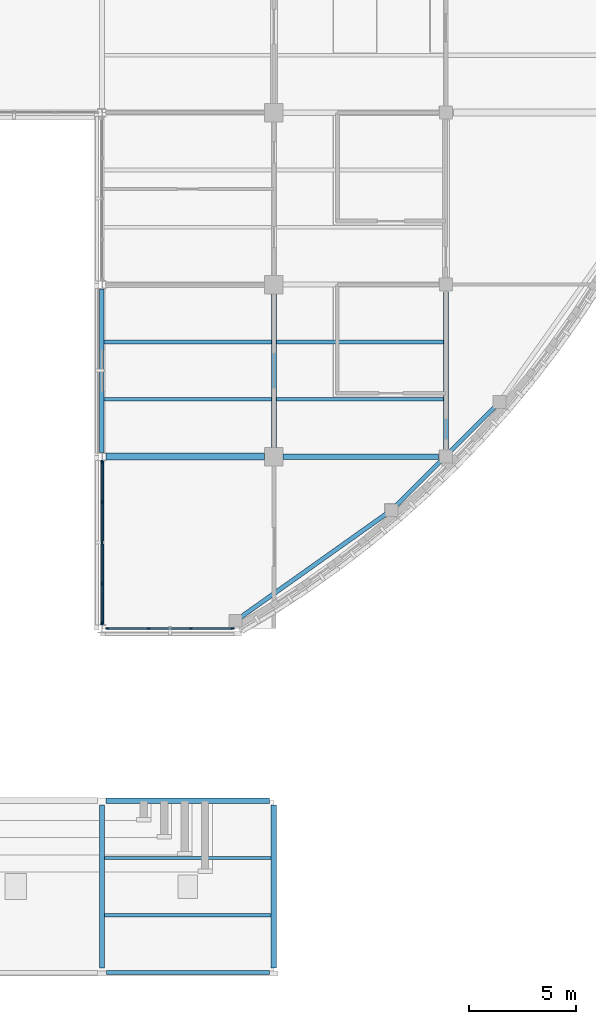
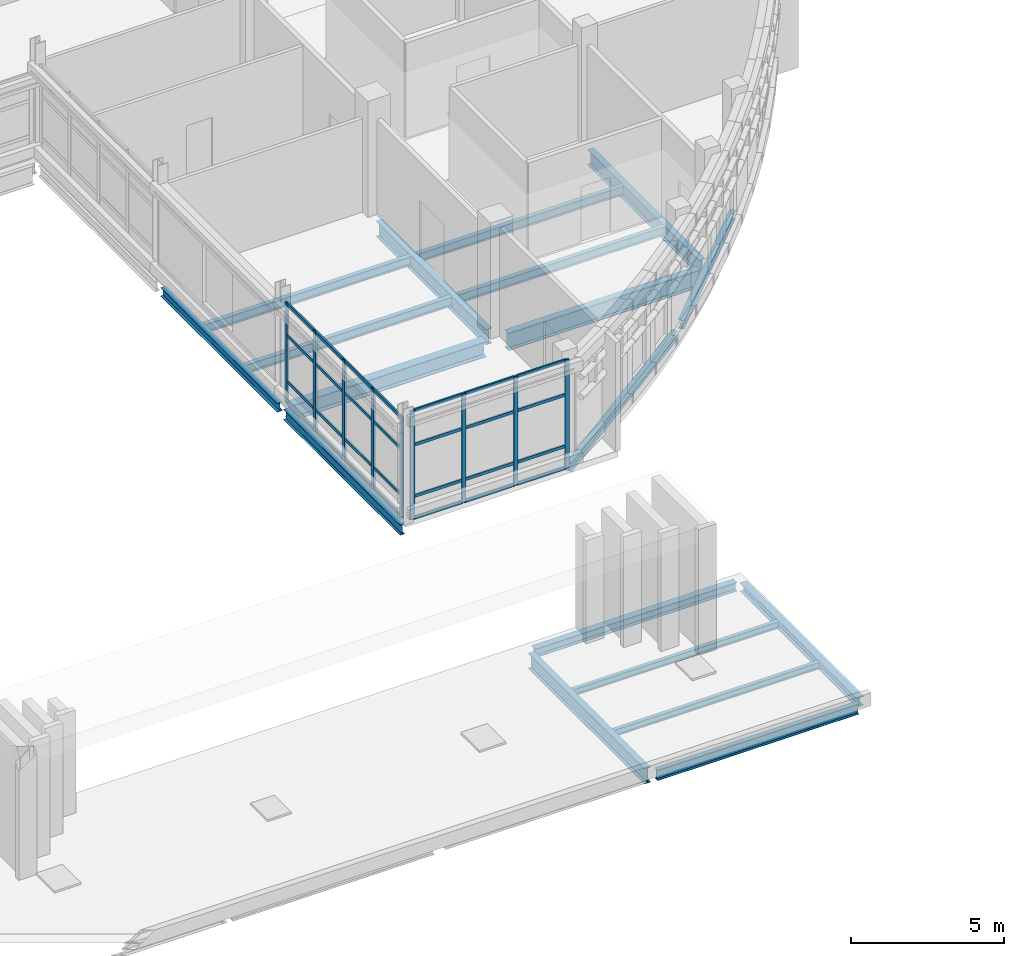
# One storey, part 24 of 121: 37 members, 18 beams, 2 elements without a shape of their own.
"""IFC4 building model written with IfcOpenShell, lengths in metres."""

from ifc_helpers import new_model, si_unit, derived_unit, direction, frame, origin, origin_2d, place, context, subcontext, project, spatial, rectangle, i_section, extrude, material, layer, layer_set, material_profile, profile_set, type_object, element, aggregate, save


model = new_model("IFC4")

# Units and contexts
model_context = context("Model", 3, precision=1e-05, world=origin(), true_north=direction((0.0, 1.0)))
body_context = subcontext(model_context, "Body", "Model", "MODEL_VIEW")
ifc_project = project(units=[si_unit("LENGTHUNIT", "METRE"), si_unit("AREAUNIT", "SQUARE_METRE"), si_unit("VOLUMEUNIT", "CUBIC_METRE"), si_unit("PLANEANGLEUNIT", "RADIAN"), si_unit("MASSUNIT", "GRAM", prefix="KILO"), derived_unit("THERMALTRANSMITTANCEUNIT", [(si_unit("MASSUNIT", "GRAM", prefix="KILO"), 1), (si_unit("TIMEUNIT", "SECOND"), -3), (si_unit("THERMODYNAMICTEMPERATUREUNIT", "KELVIN"), -1)])], contexts=[model_context])

# Site, building, storey
site_placement = place(None, origin())
site = spatial("IfcSite", under=ifc_project, at=site_placement, CompositionType="ELEMENT")
building_placement = place(site_placement, origin())
building = spatial("IfcBuilding", under=site, at=building_placement, Name="Veyamyaing Civic Hall", CompositionType="ELEMENT")
storey_placement = place(building_placement, frame((0.0, 0.0, 5.280029296875)))
storey = spatial("IfcBuildingStorey", under=building, at=storey_placement, Name="L01", CompositionType="ELEMENT", Elevation=5.280029296875)

# Beams
ifc_material_1 = material(Name="Steel ASTM A992", Category="steel")
ifc_material_profile_1 = material_profile(ifc_material_1, i_section(OverallWidth=0.256103515625, OverallDepth=0.693115234375, WebThickness=0.014404296875, FlangeThickness=0.023681640625, FilletRadius=0.013916015625, at=origin_2d()), Name="W690X170")
ifc_profile_set_1 = profile_set([ifc_material_profile_1], Name="Steel ASTM A992")
beam_type_1 = type_object("IfcBeamType", Name="B-04", PredefinedType="BEAM", material=ifc_profile_set_1)
beam_1_placement = place(storey_placement, frame((104.425048828125, 24.0, -0.591552734375), z_axis=(1.0, 0.0, 0.0), x_axis=(0.0, 1.0, 0.0)))
element("IfcBeam", 1, at=beam_1_placement, inside=storey, type_object=beam_type_1, Name="Girder B-04 L01 Grid D 14-15", PredefinedType="BEAM", context=body_context, shape_type="SweptSolid", body=[
    extrude(i_section(OverallWidth=0.256103515625, OverallDepth=0.693115234375, WebThickness=0.014404296875, FlangeThickness=0.023681640625, FilletRadius=0.013916015625, at=origin_2d()), origin(), (0.0, 0.0, 1.0), 7.224853515625),
])
ifc_material_profile_2 = material_profile(ifc_material_1, i_section(OverallWidth=0.22998046875, OverallDepth=0.616943359375, WebThickness=0.01318359375, FlangeThickness=0.022216796875, FilletRadius=0.012939453125, at=origin_2d()), Name="W610X140")
ifc_profile_set_2 = profile_set([ifc_material_profile_2], Name="Steel ASTM A992")
beam_type_2 = type_object("IfcBeamType", Name="B-05", PredefinedType="BEAM", material=ifc_profile_set_2)
beam_2_placement = place(storey_placement, frame((96.0, 0.203125, -0.548583984375), z_axis=(0.0, 1.0, 0.0), x_axis=(-1.0, 0.0, 0.0)))
element("IfcBeam", 2, at=beam_2_placement, inside=storey, type_object=beam_type_2, Name="Girder B-05 L01 Grid 13 A-B", PredefinedType="BEAM", context=body_context, shape_type="SweptSolid", body=[
    extrude(i_section(OverallWidth=0.22998046875, OverallDepth=0.616943359375, WebThickness=0.01318359375, FlangeThickness=0.022216796875, FilletRadius=0.012939453125, at=origin_2d()), origin(), (0.0, 0.0, 1.0), 7.603271484375),
])
beam_3_placement = place(storey_placement, frame((104.0, 24.425048828125, -0.553466796875), z_axis=(0.0, 1.0, 0.0), x_axis=(-1.0, 0.0, 0.0)))
element("IfcBeam", 3, at=beam_3_placement, inside=storey, type_object=beam_type_2, Name="Girder B-05 L01 Grid 14 D-E", PredefinedType="BEAM", context=body_context, shape_type="SweptSolid", body=[
    extrude(i_section(OverallWidth=0.22998046875, OverallDepth=0.616943359375, WebThickness=0.01318359375, FlangeThickness=0.022216796875, FilletRadius=0.012939453125, at=origin_2d()), origin(), (0.0, 0.0, 1.0), 7.14990234375),
])
ifc_material_profile_3 = material_profile(ifc_material_1, i_section(OverallWidth=0.22802734375, OverallDepth=0.60791015625, WebThickness=0.01123046875, FlangeThickness=0.017333984375, FilletRadius=0.012939453125, at=origin_2d()), Name="W610X113")
ifc_profile_set_3 = profile_set([ifc_material_profile_3], Name="Steel ASTM A992")
beam_type_3 = type_object("IfcBeamType", Name="B-06", PredefinedType="BEAM", material=ifc_profile_set_3)
beam_4_placement = place(storey_placement, frame((112.0, 24.35009765625, -0.549072265625), z_axis=(0.0, 1.0, 0.0), x_axis=(-1.0, 0.0, 0.0)))
element("IfcBeam", 4, at=beam_4_placement, inside=storey, type_object=beam_type_3, Name="Girder B-06 L01 Grid 15 D-E", PredefinedType="BEAM", context=body_context, shape_type="SweptSolid", body=[
    extrude(i_section(OverallWidth=0.22802734375, OverallDepth=0.60791015625, WebThickness=0.01123046875, FlangeThickness=0.017333984375, FilletRadius=0.012939453125, at=origin_2d()), origin(), (0.0, 0.0, 1.0), 7.2998046875),
])
ifc_material_profile_4 = material_profile(ifc_material_1, i_section(OverallWidth=0.179931640625, OverallDepth=0.4130859375, WebThickness=0.009765625, FlangeThickness=0.01611328125, FilletRadius=0.010009765625, at=origin_2d()), Name="W410X74")
ifc_profile_set_4 = profile_set([ifc_material_profile_4], Name="Steel ASTM A992")
beam_type_4 = type_object("IfcBeamType", Name="B-10", PredefinedType="SPANDREL", material=ifc_profile_set_4)
beam_5_placement = place(storey_placement, frame((96.0, 16.193603515625, -0.451416015625), z_axis=(0.0, 1.0, 0.0), x_axis=(-1.0, 0.0, 0.0)))
element("IfcBeam", 5, at=beam_5_placement, inside=storey, type_object=beam_type_4, Name="Girder B-10 L01 Grid 13 C-D", PredefinedType="SPANDREL", context=body_context, shape_type="SweptSolid", body=[
    extrude(i_section(OverallWidth=0.179931640625, OverallDepth=0.4130859375, WebThickness=0.009765625, FlangeThickness=0.01611328125, FilletRadius=0.010009765625, at=origin_2d()), origin(), (0.0, 0.0, 1.0), 7.61279296875),
])
ifc_material_profile_5 = material_profile(ifc_material_1, i_section(OverallWidth=0.2041015625, OverallDepth=0.35009765625, WebThickness=0.0078125, FlangeThickness=0.01513671875, FilletRadius=0.010009765625, at=origin_2d()), Name="W360X72")
ifc_profile_set_5 = profile_set([ifc_material_profile_5], Name="Steel ASTM A992")
beam_type_5 = type_object("IfcBeamType", Name="B-11", PredefinedType="SPANDREL", material=ifc_profile_set_5)
beam_6_placement = place(storey_placement, frame((96.0, 24.193603515625, -0.419921875), z_axis=(0.0, 1.0, 0.0), x_axis=(-1.0, 0.0, 0.0)))
element("IfcBeam", 6, at=beam_6_placement, inside=storey, type_object=beam_type_5, Name="Girder B-11 L01 Grid 13 D-E", PredefinedType="SPANDREL", context=body_context, shape_type="SweptSolid", body=[
    extrude(i_section(OverallWidth=0.2041015625, OverallDepth=0.35009765625, WebThickness=0.0078125, FlangeThickness=0.01513671875, FilletRadius=0.010009765625, at=origin_2d()), origin(), (0.0, 0.0, 1.0), 7.61279296875),
])
beam_7_placement = place(storey_placement, frame((102.46533203125, 16.537353515625, -0.419921875), z_axis=(0.815567262109, 0.578662285773, 0.0), x_axis=(-0.578662285773, 0.815567262109, 0.0)))
element("IfcBeam", 7, at=beam_7_placement, inside=storey, type_object=beam_type_5, Name="Curved corner spandrel B-11 L01 SE.1", PredefinedType="SPANDREL", context=body_context, shape_type="SweptSolid", body=[
    extrude(i_section(OverallWidth=0.2041015625, OverallDepth=0.35009765625, WebThickness=0.0078125, FlangeThickness=0.01513671875, FilletRadius=0.010009765625, at=origin_2d()), origin(), (0.0, 0.0, 1.0), 8.284423828125),
])
beam_8_placement = place(storey_placement, frame((109.6787109375, 21.717041015625, -0.419921875), z_axis=(0.707106781187, 0.707106781187, 0.0), x_axis=(-0.707106781187, 0.707106781187, 0.0)))
element("IfcBeam", 8, at=beam_8_placement, inside=storey, type_object=beam_type_5, Name="Curved corner spandrel B-11 L01 SE.2", PredefinedType="SPANDREL", context=body_context, shape_type="SweptSolid", body=[
    extrude(i_section(OverallWidth=0.2041015625, OverallDepth=0.35009765625, WebThickness=0.0078125, FlangeThickness=0.01513671875, FilletRadius=0.010009765625, at=origin_2d()), origin(), (0.0, 0.0, 1.0), 6.511474609375),
])
ifc_material_profile_6 = material_profile(ifc_material_1, i_section(OverallWidth=0.324951171875, OverallDepth=0.615966796875, WebThickness=0.013916015625, FlangeThickness=0.021484375, FilletRadius=0.013916015625, at=origin_2d()), Name="W610X174")
ifc_profile_set_6 = profile_set([ifc_material_profile_6], Name="Steel ASTM A992")
beam_type_6 = type_object("IfcBeamType", Name="B-15", PredefinedType="BEAM", material=ifc_profile_set_6)
beam_9_placement = place(storey_placement, frame((96.198974609375, 24.0, -0.552978515625), z_axis=(1.0, 0.0, 0.0), x_axis=(0.0, 1.0, 0.0)))
element("IfcBeam", 9, at=beam_9_placement, inside=storey, type_object=beam_type_6, Name="Girder B-15 L01 Grid D 13-14", PredefinedType="BEAM", context=body_context, shape_type="SweptSolid", body=[
    extrude(i_section(OverallWidth=0.324951171875, OverallDepth=0.615966796875, WebThickness=0.013916015625, FlangeThickness=0.021484375, FilletRadius=0.013916015625, at=origin_2d()), origin(), (0.0, 0.0, 1.0), 7.3759765625),
])
ifc_material_profile_7 = material_profile(ifc_material_1, i_section(OverallWidth=0.180908203125, OverallDepth=0.4169921875, WebThickness=0.010986328125, FlangeThickness=0.018310546875, FilletRadius=0.010009765625, at=origin_2d()), Name="W410X85")
ifc_profile_set_7 = profile_set([ifc_material_profile_7], Name="Steel ASTM A992")
beam_type_7 = type_object("IfcBeamType", Name="B-19", PredefinedType="SPANDREL", material=ifc_profile_set_7)
beam_10_placement = place(storey_placement, frame((96.203125, 0.0, -0.448486328125), z_axis=(1.0, 0.0, 0.0), x_axis=(0.0, 1.0, 0.0)))
element("IfcBeam", 10, at=beam_10_placement, inside=storey, type_object=beam_type_7, Name="Girder B-19 L01 Grid A 13-14", PredefinedType="SPANDREL", context=body_context, shape_type="SweptSolid", body=[
    extrude(i_section(OverallWidth=0.180908203125, OverallDepth=0.4169921875, WebThickness=0.010986328125, FlangeThickness=0.018310546875, FilletRadius=0.010009765625, at=origin_2d()), origin(), (0.0, 0.0, 1.0), 7.59375),
])
ifc_material_profile_8 = material_profile(ifc_material_1, i_section(OverallWidth=0.25390625, OverallDepth=0.35302734375, WebThickness=0.009521484375, FlangeThickness=0.016357421875, FilletRadius=0.011962890625, at=origin_2d()), Name="W360X91")
ifc_profile_set_8 = profile_set([ifc_material_profile_8], Name="Steel ASTM A992")
beam_type_8 = type_object("IfcBeamType", Name="B-20", PredefinedType="SPANDREL", material=ifc_profile_set_8)
beam_11_placement = place(storey_placement, frame((96.198974609375, 8.0, -0.41650390625), z_axis=(1.0, 0.0, 0.0), x_axis=(0.0, 1.0, 0.0)))
element("IfcBeam", 11, at=beam_11_placement, inside=storey, type_object=beam_type_8, Name="Girder B-20 L01 Grid B 13-14", PredefinedType="SPANDREL", context=body_context, shape_type="SweptSolid", body=[
    extrude(i_section(OverallWidth=0.25390625, OverallDepth=0.35302734375, WebThickness=0.009521484375, FlangeThickness=0.016357421875, FilletRadius=0.011962890625, at=origin_2d()), origin(), (0.0, 0.0, 1.0), 7.60205078125),
])
beam_12_placement = place(storey_placement, frame((104.0, 0.203125, -0.41650390625), z_axis=(0.0, 1.0, 0.0), x_axis=(-1.0, 0.0, 0.0)))
element("IfcBeam", 12, at=beam_12_placement, inside=storey, type_object=beam_type_8, Name="Girder B-20 L01 Grid 14 A-B", PredefinedType="SPANDREL", context=body_context, shape_type="SweptSolid", body=[
    extrude(i_section(OverallWidth=0.25390625, OverallDepth=0.35302734375, WebThickness=0.009521484375, FlangeThickness=0.016357421875, FilletRadius=0.011962890625, at=origin_2d()), origin(), (0.0, 0.0, 1.0), 7.603271484375),
])

# Curtain wall, members
ifc_material_2 = material(Name="Anodised aluminium 6063-T6", Category="aluminium")
ifc_layer = layer(ifc_material_2, 0.159912109375, Name="Anodised aluminium 6063-T6")
ifc_layer_set = layer_set([ifc_layer], Name="Anodised aluminium 6063-T6")
curtain_wall_type = type_object("IfcCurtainWallType", Name="CW-02", PredefinedType="NOTDEFINED", material=ifc_layer_set)
curtain_wall_1_placement = place(storey_placement, origin())
curtain_wall_1 = element("IfcCurtainWall", 13, at=curtain_wall_1_placement, inside=storey, type_object=curtain_wall_type, Name="Unitized curtain wall CW-02 L01 S 13.3", PredefinedType="NOTDEFINED")
ifc_material_profile_9 = material_profile(ifc_material_2, rectangle(XDim=0.06494140625, YDim=0.159912109375, at=origin_2d()), Name="ALU-MUL-65X160")
ifc_profile_set_9 = profile_set([ifc_material_profile_9], Name="Anodised aluminium 6063-T6")
member_type_1 = type_object("IfcMemberType", Name="CWM-01", PredefinedType="MULLION", material=ifc_profile_set_9)
member_1_placement = place(storey_placement, frame((96.24951171875, 16.0, 0.0), z_axis=(0.0, 0.0, 1.0), x_axis=(0.0, 1.0, 0.0)))
member_1 = element("IfcMember", 14, at=member_1_placement, type_object=member_type_1, Name="CW-02 mullion 1", PredefinedType="MULLION", context=body_context, shape_type="SweptSolid", body=[
    extrude(rectangle(XDim=0.06494140625, YDim=0.159912109375, at=origin_2d()), origin(), (0.0, 0.0, 1.0), 4.3349609375),
])
member_2_placement = place(storey_placement, frame((98.17822265625, 16.0, 0.0), z_axis=(0.0, 0.0, 1.0), x_axis=(0.0, 1.0, 0.0)))
member_2 = element("IfcMember", 15, at=member_2_placement, type_object=member_type_1, Name="CW-02 mullion 2", PredefinedType="MULLION", context=body_context, shape_type="SweptSolid", body=[
    extrude(rectangle(XDim=0.06494140625, YDim=0.159912109375, at=origin_2d()), origin(), (0.0, 0.0, 1.0), 4.3349609375),
])
member_3_placement = place(storey_placement, frame((100.1396484375, 16.0, 0.0), z_axis=(0.0, 0.0, 1.0), x_axis=(0.0, 1.0, 0.0)))
member_3 = element("IfcMember", 16, at=member_3_placement, type_object=member_type_1, Name="CW-02 mullion 3", PredefinedType="MULLION", context=body_context, shape_type="SweptSolid", body=[
    extrude(rectangle(XDim=0.06494140625, YDim=0.159912109375, at=origin_2d()), origin(), (0.0, 0.0, 1.0), 4.3349609375),
])
member_4_placement = place(storey_placement, frame((102.068359375, 16.0, 0.0), z_axis=(0.0, 0.0, 1.0), x_axis=(0.0, 1.0, 0.0)))
member_4 = element("IfcMember", 17, at=member_4_placement, type_object=member_type_1, Name="CW-02 mullion 4", PredefinedType="MULLION", context=body_context, shape_type="SweptSolid", body=[
    extrude(rectangle(XDim=0.06494140625, YDim=0.159912109375, at=origin_2d()), origin(), (0.0, 0.0, 1.0), 4.3349609375),
])

curtain_wall_2_placement = place(storey_placement, origin())
curtain_wall_2 = element("IfcCurtainWall", 18, at=curtain_wall_2_placement, inside=storey, type_object=curtain_wall_type, Name="Unitized curtain wall CW-02 L01 W 13.3", PredefinedType="NOTDEFINED")
member_5_placement = place(storey_placement, frame((96.0, 16.24853515625, 0.0), z_axis=(0.0, 0.0, 1.0), x_axis=(-1.0, 0.0, 0.0)))
member_5 = element("IfcMember", 19, at=member_5_placement, type_object=member_type_1, Name="CW-02 mullion 1", PredefinedType="MULLION", context=body_context, shape_type="SweptSolid", body=[
    extrude(rectangle(XDim=0.06494140625, YDim=0.159912109375, at=origin_2d()), origin(), (0.0, 0.0, 1.0), 4.02197265625),
])
member_6_placement = place(storey_placement, frame((96.0, 18.10791015625, 0.0), z_axis=(0.0, 0.0, 1.0), x_axis=(-1.0, 0.0, 0.0)))
member_6 = element("IfcMember", 20, at=member_6_placement, type_object=member_type_1, Name="CW-02 mullion 2", PredefinedType="MULLION", context=body_context, shape_type="SweptSolid", body=[
    extrude(rectangle(XDim=0.06494140625, YDim=0.159912109375, at=origin_2d()), origin(), (0.0, 0.0, 1.0), 4.02197265625),
])
member_7_placement = place(storey_placement, frame((96.0, 20.0, 0.0), z_axis=(0.0, 0.0, 1.0), x_axis=(-1.0, 0.0, 0.0)))
member_7 = element("IfcMember", 21, at=member_7_placement, type_object=member_type_1, Name="CW-02 mullion 3", PredefinedType="MULLION", context=body_context, shape_type="SweptSolid", body=[
    extrude(rectangle(XDim=0.06494140625, YDim=0.159912109375, at=origin_2d()), origin(), (0.0, 0.0, 1.0), 4.02197265625),
])
member_8_placement = place(storey_placement, frame((96.0, 21.89208984375, 0.0), z_axis=(0.0, 0.0, 1.0), x_axis=(-1.0, 0.0, 0.0)))
member_8 = element("IfcMember", 22, at=member_8_placement, type_object=member_type_1, Name="CW-02 mullion 4", PredefinedType="MULLION", context=body_context, shape_type="SweptSolid", body=[
    extrude(rectangle(XDim=0.06494140625, YDim=0.159912109375, at=origin_2d()), origin(), (0.0, 0.0, 1.0), 4.02197265625),
])
member_9_placement = place(storey_placement, frame((96.0, 23.75146484375, 0.0), z_axis=(0.0, 0.0, 1.0), x_axis=(-1.0, 0.0, 0.0)))
member_9 = element("IfcMember", 23, at=member_9_placement, type_object=member_type_1, Name="CW-02 mullion 5", PredefinedType="MULLION", context=body_context, shape_type="SweptSolid", body=[
    extrude(rectangle(XDim=0.06494140625, YDim=0.159912109375, at=origin_2d()), origin(), (0.0, 0.0, 1.0), 4.02197265625),
])

# Member
ifc_material_profile_10 = material_profile(ifc_material_2, rectangle(XDim=0.06494140625, YDim=0.1201171875, at=origin_2d()), Name="ALU-TRN-65X120")
ifc_profile_set_10 = profile_set([ifc_material_profile_10], Name="Anodised aluminium 6063-T6")
member_type_2 = type_object("IfcMemberType", Name="CWT-01", PredefinedType="USERDEFINED", material=ifc_profile_set_10)
member_10_placement = place(storey_placement, frame((96.281982421875, 16.0, 0.032470703125), z_axis=(1.0, 0.0, 0.0), x_axis=(0.0, 1.0, 0.0)))
member_10 = element("IfcMember", 24, at=member_10_placement, type_object=member_type_2, Name="CW-02 transom 1.1", ObjectType="TRANSOM", PredefinedType="USERDEFINED", context=body_context, shape_type="SweptSolid", body=[
    extrude(rectangle(XDim=0.06494140625, YDim=0.1201171875, at=origin_2d()), origin(), (0.0, 0.0, 1.0), 1.86376953125),
])

member_11_placement = place(storey_placement, frame((96.281982421875, 16.0, 0.89990234375), z_axis=(1.0, 0.0, 0.0), x_axis=(0.0, 1.0, 0.0)))
member_11 = element("IfcMember", 25, at=member_11_placement, type_object=member_type_2, Name="CW-02 transom 1.2", ObjectType="TRANSOM", PredefinedType="USERDEFINED", context=body_context, shape_type="SweptSolid", body=[
    extrude(rectangle(XDim=0.06494140625, YDim=0.1201171875, at=origin_2d()), origin(), (0.0, 0.0, 1.0), 1.86376953125),
])

member_12_placement = place(storey_placement, frame((96.281982421875, 16.0, 2.94775390625), z_axis=(1.0, 0.0, 0.0), x_axis=(0.0, 1.0, 0.0)))
member_12 = element("IfcMember", 26, at=member_12_placement, type_object=member_type_2, Name="CW-02 transom 1.3", ObjectType="TRANSOM", PredefinedType="USERDEFINED", context=body_context, shape_type="SweptSolid", body=[
    extrude(rectangle(XDim=0.06494140625, YDim=0.1201171875, at=origin_2d()), origin(), (0.0, 0.0, 1.0), 1.86376953125),
])

member_13_placement = place(storey_placement, frame((96.281982421875, 16.0, 4.302490234375), z_axis=(1.0, 0.0, 0.0), x_axis=(0.0, 1.0, 0.0)))
member_13 = element("IfcMember", 27, at=member_13_placement, type_object=member_type_2, Name="CW-02 transom 1.4", ObjectType="TRANSOM", PredefinedType="USERDEFINED", context=body_context, shape_type="SweptSolid", body=[
    extrude(rectangle(XDim=0.06494140625, YDim=0.1201171875, at=origin_2d()), origin(), (0.0, 0.0, 1.0), 1.86376953125),
])

member_14_placement = place(storey_placement, frame((98.210693359375, 16.0, 0.032470703125), z_axis=(1.0, 0.0, 0.0), x_axis=(0.0, 1.0, 0.0)))
member_14 = element("IfcMember", 28, at=member_14_placement, type_object=member_type_2, Name="CW-02 transom 2.1", ObjectType="TRANSOM", PredefinedType="USERDEFINED", context=body_context, shape_type="SweptSolid", body=[
    extrude(rectangle(XDim=0.06494140625, YDim=0.1201171875, at=origin_2d()), origin(), (0.0, 0.0, 1.0), 1.896240234375),
])

member_15_placement = place(storey_placement, frame((98.210693359375, 16.0, 0.89990234375), z_axis=(1.0, 0.0, 0.0), x_axis=(0.0, 1.0, 0.0)))
member_15 = element("IfcMember", 29, at=member_15_placement, type_object=member_type_2, Name="CW-02 transom 2.2", ObjectType="TRANSOM", PredefinedType="USERDEFINED", context=body_context, shape_type="SweptSolid", body=[
    extrude(rectangle(XDim=0.06494140625, YDim=0.1201171875, at=origin_2d()), origin(), (0.0, 0.0, 1.0), 1.896240234375),
])

member_16_placement = place(storey_placement, frame((98.210693359375, 16.0, 2.94775390625), z_axis=(1.0, 0.0, 0.0), x_axis=(0.0, 1.0, 0.0)))
member_16 = element("IfcMember", 30, at=member_16_placement, type_object=member_type_2, Name="CW-02 transom 2.3", ObjectType="TRANSOM", PredefinedType="USERDEFINED", context=body_context, shape_type="SweptSolid", body=[
    extrude(rectangle(XDim=0.06494140625, YDim=0.1201171875, at=origin_2d()), origin(), (0.0, 0.0, 1.0), 1.896240234375),
])

member_17_placement = place(storey_placement, frame((98.210693359375, 16.0, 4.302490234375), z_axis=(1.0, 0.0, 0.0), x_axis=(0.0, 1.0, 0.0)))
member_17 = element("IfcMember", 31, at=member_17_placement, type_object=member_type_2, Name="CW-02 transom 2.4", ObjectType="TRANSOM", PredefinedType="USERDEFINED", context=body_context, shape_type="SweptSolid", body=[
    extrude(rectangle(XDim=0.06494140625, YDim=0.1201171875, at=origin_2d()), origin(), (0.0, 0.0, 1.0), 1.896240234375),
])

member_18_placement = place(storey_placement, frame((100.172119140625, 16.0, 0.032470703125), z_axis=(1.0, 0.0, 0.0), x_axis=(0.0, 1.0, 0.0)))
member_18 = element("IfcMember", 32, at=member_18_placement, type_object=member_type_2, Name="CW-02 transom 3.1", ObjectType="TRANSOM", PredefinedType="USERDEFINED", context=body_context, shape_type="SweptSolid", body=[
    extrude(rectangle(XDim=0.06494140625, YDim=0.1201171875, at=origin_2d()), origin(), (0.0, 0.0, 1.0), 1.86376953125),
])

member_19_placement = place(storey_placement, frame((100.172119140625, 16.0, 0.89990234375), z_axis=(1.0, 0.0, 0.0), x_axis=(0.0, 1.0, 0.0)))
member_19 = element("IfcMember", 33, at=member_19_placement, type_object=member_type_2, Name="CW-02 transom 3.2", ObjectType="TRANSOM", PredefinedType="USERDEFINED", context=body_context, shape_type="SweptSolid", body=[
    extrude(rectangle(XDim=0.06494140625, YDim=0.1201171875, at=origin_2d()), origin(), (0.0, 0.0, 1.0), 1.86376953125),
])

member_20_placement = place(storey_placement, frame((100.172119140625, 16.0, 2.94775390625), z_axis=(1.0, 0.0, 0.0), x_axis=(0.0, 1.0, 0.0)))
member_20 = element("IfcMember", 34, at=member_20_placement, type_object=member_type_2, Name="CW-02 transom 3.3", ObjectType="TRANSOM", PredefinedType="USERDEFINED", context=body_context, shape_type="SweptSolid", body=[
    extrude(rectangle(XDim=0.06494140625, YDim=0.1201171875, at=origin_2d()), origin(), (0.0, 0.0, 1.0), 1.86376953125),
])

member_21_placement = place(storey_placement, frame((100.172119140625, 16.0, 4.302490234375), z_axis=(1.0, 0.0, 0.0), x_axis=(0.0, 1.0, 0.0)))
member_21 = element("IfcMember", 35, at=member_21_placement, type_object=member_type_2, Name="CW-02 transom 3.4", ObjectType="TRANSOM", PredefinedType="USERDEFINED", context=body_context, shape_type="SweptSolid", body=[
    extrude(rectangle(XDim=0.06494140625, YDim=0.1201171875, at=origin_2d()), origin(), (0.0, 0.0, 1.0), 1.86376953125),
])

aggregate(curtain_wall_1, [member_1, member_2, member_3, member_4, member_10, member_11, member_12, member_13, member_14, member_15, member_16, member_17, member_18, member_19, member_20, member_21])

member_22_placement = place(storey_placement, frame((96.0, 16.281005859375, 0.032470703125), z_axis=(0.0, 1.0, 0.0), x_axis=(-1.0, 0.0, 0.0)))
member_22 = element("IfcMember", 36, at=member_22_placement, type_object=member_type_2, Name="CW-02 transom 1.1", ObjectType="TRANSOM", PredefinedType="USERDEFINED", context=body_context, shape_type="SweptSolid", body=[
    extrude(rectangle(XDim=0.06494140625, YDim=0.1201171875, at=origin_2d()), origin(), (0.0, 0.0, 1.0), 1.79443359375),
])

member_23_placement = place(storey_placement, frame((96.0, 16.281005859375, 0.89990234375), z_axis=(0.0, 1.0, 0.0), x_axis=(-1.0, 0.0, 0.0)))
member_23 = element("IfcMember", 37, at=member_23_placement, type_object=member_type_2, Name="CW-02 transom 1.2", ObjectType="TRANSOM", PredefinedType="USERDEFINED", context=body_context, shape_type="SweptSolid", body=[
    extrude(rectangle(XDim=0.06494140625, YDim=0.1201171875, at=origin_2d()), origin(), (0.0, 0.0, 1.0), 1.79443359375),
])

member_24_placement = place(storey_placement, frame((96.0, 16.281005859375, 2.73486328125), z_axis=(0.0, 1.0, 0.0), x_axis=(-1.0, 0.0, 0.0)))
member_24 = element("IfcMember", 38, at=member_24_placement, type_object=member_type_2, Name="CW-02 transom 1.3", ObjectType="TRANSOM", PredefinedType="USERDEFINED", context=body_context, shape_type="SweptSolid", body=[
    extrude(rectangle(XDim=0.06494140625, YDim=0.1201171875, at=origin_2d()), origin(), (0.0, 0.0, 1.0), 1.79443359375),
])

member_25_placement = place(storey_placement, frame((96.0, 16.281005859375, 3.989501953125), z_axis=(0.0, 1.0, 0.0), x_axis=(-1.0, 0.0, 0.0)))
member_25 = element("IfcMember", 39, at=member_25_placement, type_object=member_type_2, Name="CW-02 transom 1.4", ObjectType="TRANSOM", PredefinedType="USERDEFINED", context=body_context, shape_type="SweptSolid", body=[
    extrude(rectangle(XDim=0.06494140625, YDim=0.1201171875, at=origin_2d()), origin(), (0.0, 0.0, 1.0), 1.79443359375),
])

member_26_placement = place(storey_placement, frame((96.0, 18.140380859375, 0.032470703125), z_axis=(0.0, 1.0, 0.0), x_axis=(-1.0, 0.0, 0.0)))
member_26 = element("IfcMember", 40, at=member_26_placement, type_object=member_type_2, Name="CW-02 transom 2.1", ObjectType="TRANSOM", PredefinedType="USERDEFINED", context=body_context, shape_type="SweptSolid", body=[
    extrude(rectangle(XDim=0.06494140625, YDim=0.1201171875, at=origin_2d()), origin(), (0.0, 0.0, 1.0), 1.8271484375),
])

member_27_placement = place(storey_placement, frame((96.0, 18.140380859375, 0.89990234375), z_axis=(0.0, 1.0, 0.0), x_axis=(-1.0, 0.0, 0.0)))
member_27 = element("IfcMember", 41, at=member_27_placement, type_object=member_type_2, Name="CW-02 transom 2.2", ObjectType="TRANSOM", PredefinedType="USERDEFINED", context=body_context, shape_type="SweptSolid", body=[
    extrude(rectangle(XDim=0.06494140625, YDim=0.1201171875, at=origin_2d()), origin(), (0.0, 0.0, 1.0), 1.8271484375),
])

member_28_placement = place(storey_placement, frame((96.0, 18.140380859375, 2.73486328125), z_axis=(0.0, 1.0, 0.0), x_axis=(-1.0, 0.0, 0.0)))
member_28 = element("IfcMember", 42, at=member_28_placement, type_object=member_type_2, Name="CW-02 transom 2.3", ObjectType="TRANSOM", PredefinedType="USERDEFINED", context=body_context, shape_type="SweptSolid", body=[
    extrude(rectangle(XDim=0.06494140625, YDim=0.1201171875, at=origin_2d()), origin(), (0.0, 0.0, 1.0), 1.8271484375),
])

member_29_placement = place(storey_placement, frame((96.0, 18.140380859375, 3.989501953125), z_axis=(0.0, 1.0, 0.0), x_axis=(-1.0, 0.0, 0.0)))
member_29 = element("IfcMember", 43, at=member_29_placement, type_object=member_type_2, Name="CW-02 transom 2.4", ObjectType="TRANSOM", PredefinedType="USERDEFINED", context=body_context, shape_type="SweptSolid", body=[
    extrude(rectangle(XDim=0.06494140625, YDim=0.1201171875, at=origin_2d()), origin(), (0.0, 0.0, 1.0), 1.8271484375),
])

member_30_placement = place(storey_placement, frame((96.0, 20.032470703125, 0.032470703125), z_axis=(0.0, 1.0, 0.0), x_axis=(-1.0, 0.0, 0.0)))
member_30 = element("IfcMember", 44, at=member_30_placement, type_object=member_type_2, Name="CW-02 transom 3.1", ObjectType="TRANSOM", PredefinedType="USERDEFINED", context=body_context, shape_type="SweptSolid", body=[
    extrude(rectangle(XDim=0.06494140625, YDim=0.1201171875, at=origin_2d()), origin(), (0.0, 0.0, 1.0), 1.8271484375),
])

member_31_placement = place(storey_placement, frame((96.0, 20.032470703125, 0.89990234375), z_axis=(0.0, 1.0, 0.0), x_axis=(-1.0, 0.0, 0.0)))
member_31 = element("IfcMember", 45, at=member_31_placement, type_object=member_type_2, Name="CW-02 transom 3.2", ObjectType="TRANSOM", PredefinedType="USERDEFINED", context=body_context, shape_type="SweptSolid", body=[
    extrude(rectangle(XDim=0.06494140625, YDim=0.1201171875, at=origin_2d()), origin(), (0.0, 0.0, 1.0), 1.8271484375),
])

member_32_placement = place(storey_placement, frame((96.0, 20.032470703125, 2.73486328125), z_axis=(0.0, 1.0, 0.0), x_axis=(-1.0, 0.0, 0.0)))
member_32 = element("IfcMember", 46, at=member_32_placement, type_object=member_type_2, Name="CW-02 transom 3.3", ObjectType="TRANSOM", PredefinedType="USERDEFINED", context=body_context, shape_type="SweptSolid", body=[
    extrude(rectangle(XDim=0.06494140625, YDim=0.1201171875, at=origin_2d()), origin(), (0.0, 0.0, 1.0), 1.8271484375),
])

member_33_placement = place(storey_placement, frame((96.0, 20.032470703125, 3.989501953125), z_axis=(0.0, 1.0, 0.0), x_axis=(-1.0, 0.0, 0.0)))
member_33 = element("IfcMember", 47, at=member_33_placement, type_object=member_type_2, Name="CW-02 transom 3.4", ObjectType="TRANSOM", PredefinedType="USERDEFINED", context=body_context, shape_type="SweptSolid", body=[
    extrude(rectangle(XDim=0.06494140625, YDim=0.1201171875, at=origin_2d()), origin(), (0.0, 0.0, 1.0), 1.8271484375),
])

member_34_placement = place(storey_placement, frame((96.0, 21.924560546875, 0.032470703125), z_axis=(0.0, 1.0, 0.0), x_axis=(-1.0, 0.0, 0.0)))
member_34 = element("IfcMember", 48, at=member_34_placement, type_object=member_type_2, Name="CW-02 transom 4.1", ObjectType="TRANSOM", PredefinedType="USERDEFINED", context=body_context, shape_type="SweptSolid", body=[
    extrude(rectangle(XDim=0.06494140625, YDim=0.1201171875, at=origin_2d()), origin(), (0.0, 0.0, 1.0), 1.79443359375),
])

member_35_placement = place(storey_placement, frame((96.0, 21.924560546875, 0.89990234375), z_axis=(0.0, 1.0, 0.0), x_axis=(-1.0, 0.0, 0.0)))
member_35 = element("IfcMember", 49, at=member_35_placement, type_object=member_type_2, Name="CW-02 transom 4.2", ObjectType="TRANSOM", PredefinedType="USERDEFINED", context=body_context, shape_type="SweptSolid", body=[
    extrude(rectangle(XDim=0.06494140625, YDim=0.1201171875, at=origin_2d()), origin(), (0.0, 0.0, 1.0), 1.79443359375),
])

member_36_placement = place(storey_placement, frame((96.0, 21.924560546875, 2.73486328125), z_axis=(0.0, 1.0, 0.0), x_axis=(-1.0, 0.0, 0.0)))
member_36 = element("IfcMember", 50, at=member_36_placement, type_object=member_type_2, Name="CW-02 transom 4.3", ObjectType="TRANSOM", PredefinedType="USERDEFINED", context=body_context, shape_type="SweptSolid", body=[
    extrude(rectangle(XDim=0.06494140625, YDim=0.1201171875, at=origin_2d()), origin(), (0.0, 0.0, 1.0), 1.79443359375),
])

member_37_placement = place(storey_placement, frame((96.0, 21.924560546875, 3.989501953125), z_axis=(0.0, 1.0, 0.0), x_axis=(-1.0, 0.0, 0.0)))
member_37 = element("IfcMember", 51, at=member_37_placement, type_object=member_type_2, Name="CW-02 transom 4.4", ObjectType="TRANSOM", PredefinedType="USERDEFINED", context=body_context, shape_type="SweptSolid", body=[
    extrude(rectangle(XDim=0.06494140625, YDim=0.1201171875, at=origin_2d()), origin(), (0.0, 0.0, 1.0), 1.79443359375),
])

aggregate(curtain_wall_2, [member_5, member_6, member_7, member_8, member_9, member_22, member_23, member_24, member_25, member_26, member_27, member_28, member_29, member_30, member_31, member_32, member_33, member_34, member_35, member_36, member_37])

# Beams
ifc_material_profile_11 = material_profile(ifc_material_1, i_section(OverallWidth=0.172119140625, OverallDepth=0.35791015625, WebThickness=0.0078125, FlangeThickness=0.01318359375, FilletRadius=0.010009765625, at=origin_2d()), Name="W360X57")
ifc_profile_set_11 = profile_set([ifc_material_profile_11], Name="Steel ASTM A992")
beam_type_9 = type_object("IfcBeamType", Name="J-02", PredefinedType="JOIST", material=ifc_profile_set_11)
for number, where, z_axis, x_axis, name in (
    (52, (96.10009765625, 26.666748046875, -0.424072265625), (1.0, 0.0, 0.0), (0.0, 1.0, 0.0), "Composite floor joist J-02 L01 13.4.1"),
    (53, (96.10009765625, 29.333251953125, -0.424072265625), (1.0, 0.0, 0.0), (0.0, 1.0, 0.0), "Composite floor joist J-02 L01 13.4.2"),
):
    element("IfcBeam", number, at=place(storey_placement, frame(where, z_axis=z_axis, x_axis=x_axis)), inside=storey, type_object=beam_type_9, Name=name, PredefinedType="JOIST", context=body_context, shape_type="SweptSolid", body=[
        extrude(i_section(OverallWidth=0.172119140625, OverallDepth=0.35791015625, WebThickness=0.0078125, FlangeThickness=0.01318359375, FilletRadius=0.010009765625, at=origin_2d()), origin(), (0.0, 0.0, 1.0), 7.786865234375),
    ])
ifc_material_profile_12 = material_profile(ifc_material_1, i_section(OverallWidth=0.1708984375, OverallDepth=0.35205078125, WebThickness=0.0068359375, FlangeThickness=0.009765625, FilletRadius=0.010009765625, at=origin_2d()), Name="W360X44")
ifc_profile_set_12 = profile_set([ifc_material_profile_12], Name="Steel ASTM A992")
beam_type_10 = type_object("IfcBeamType", Name="J-03", PredefinedType="JOIST", material=ifc_profile_set_12)
for number, where, z_axis, x_axis, name in (
    (54, (104.113037109375, 26.666748046875, -0.421142578125), (1.0, 0.0, 0.0), (0.0, 1.0, 0.0), "Composite floor joist J-03 L01 14.4.1"),
    (55, (104.113037109375, 29.333251953125, -0.421142578125), (1.0, 0.0, 0.0), (0.0, 1.0, 0.0), "Composite floor joist J-03 L01 14.4.2"),
):
    element("IfcBeam", number, at=place(storey_placement, frame(where, z_axis=z_axis, x_axis=x_axis)), inside=storey, type_object=beam_type_10, Name=name, PredefinedType="JOIST", context=body_context, shape_type="SweptSolid", body=[
        extrude(i_section(OverallWidth=0.1708984375, OverallDepth=0.35205078125, WebThickness=0.0068359375, FlangeThickness=0.009765625, FilletRadius=0.010009765625, at=origin_2d()), origin(), (0.0, 0.0, 1.0), 7.77490234375),
    ])
ifc_material_profile_13 = material_profile(ifc_material_1, i_section(OverallWidth=0.14794921875, OverallDepth=0.26611328125, WebThickness=0.007568359375, FlangeThickness=0.012939453125, FilletRadius=0.010009765625, at=origin_2d()), Name="W250X45")
ifc_profile_set_13 = profile_set([ifc_material_profile_13], Name="Steel ASTM A992")
beam_type_11 = type_object("IfcBeamType", Name="J-07", PredefinedType="JOIST", material=ifc_profile_set_13)
for number, where, z_axis, x_axis, name in (
    (56, (96.113037109375, 2.666748046875, -0.373046875), (1.0, 0.0, 0.0), (0.0, 1.0, 0.0), "Composite floor joist J-07 L01 13.1.1"),
    (57, (96.113037109375, 5.333251953125, -0.373046875), (1.0, 0.0, 0.0), (0.0, 1.0, 0.0), "Composite floor joist J-07 L01 13.1.2"),
):
    element("IfcBeam", number, at=place(storey_placement, frame(where, z_axis=z_axis, x_axis=x_axis)), inside=storey, type_object=beam_type_11, Name=name, PredefinedType="JOIST", context=body_context, shape_type="SweptSolid", body=[
        extrude(i_section(OverallWidth=0.14794921875, OverallDepth=0.26611328125, WebThickness=0.007568359375, FlangeThickness=0.012939453125, FilletRadius=0.010009765625, at=origin_2d()), origin(), (0.0, 0.0, 1.0), 7.761962890625),
    ])

save(model, "model.ifc")
